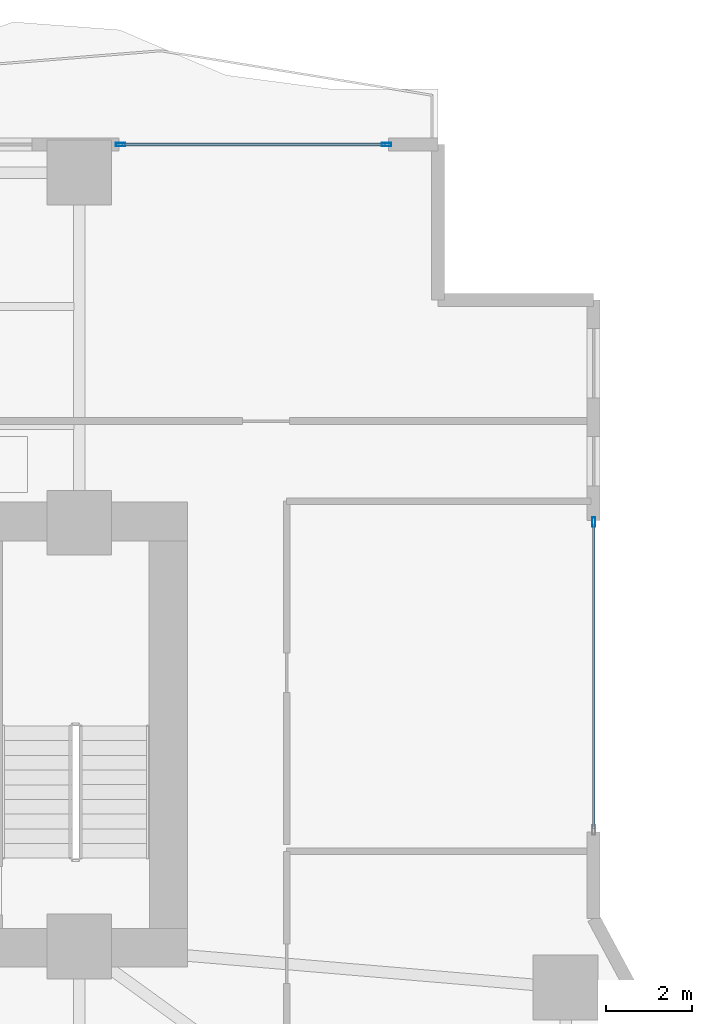
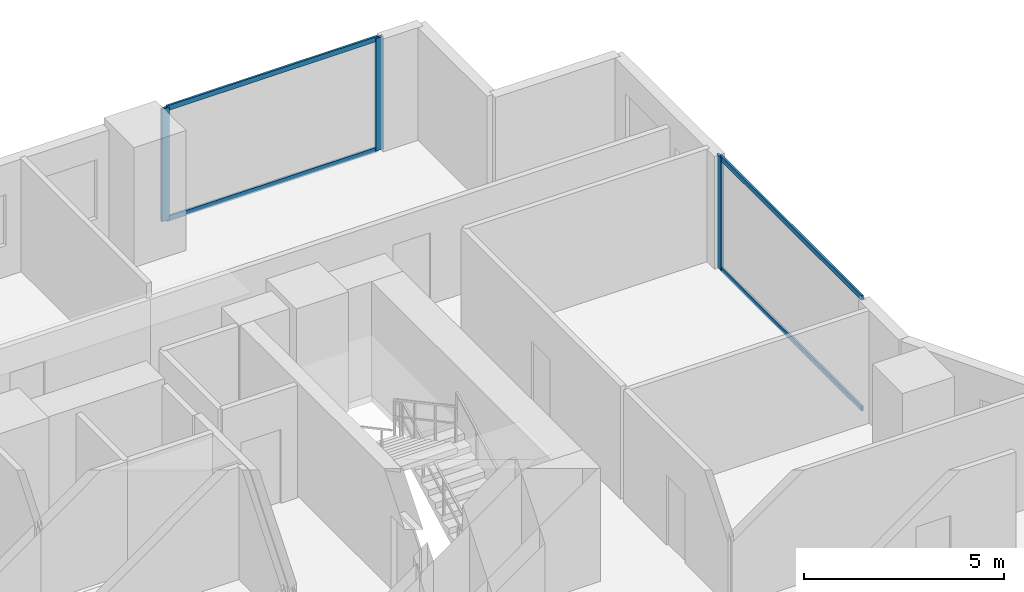
# One storey, part 16 of 29: 7 members, 2 elements without a shape of their own.
"""IFC4 building model written with IfcOpenShell, lengths in metres."""

from ifc_helpers import new_model, si_unit, direction, frame, origin, origin_2d, place, context, subcontext, project, spatial, hollow_rectangle, extrude, material, layer, layer_set, material_profile, profile_set, type_object, element, aggregate, save


model = new_model("IFC4")

# Units and contexts
model_context = context("Model", 3, precision=1e-05, world=origin(), true_north=direction((0.0, 1.0)))
body_context = subcontext(model_context, "Body", "Model", "MODEL_VIEW")
ifc_project = project(units=[si_unit("LENGTHUNIT", "METRE"), si_unit("AREAUNIT", "SQUARE_METRE"), si_unit("VOLUMEUNIT", "CUBIC_METRE"), si_unit("PLANEANGLEUNIT", "RADIAN"), si_unit("MASSUNIT", "GRAM", prefix="KILO")], contexts=[model_context])

# Site, building, storey
site_placement = place(None, origin())
site = spatial("IfcSite", under=ifc_project, at=site_placement, CompositionType="ELEMENT")
building_placement = place(site_placement, origin())
building = spatial("IfcBuilding", under=site, at=building_placement, Name="Zuhayl Quay Hotel", CompositionType="ELEMENT")
storey_placement = place(building_placement, frame((0.0, 0.0, 42.199951171875)))
storey = spatial("IfcBuildingStorey", under=building, at=storey_placement, Name="L09", CompositionType="ELEMENT", Elevation=42.199951171875)

# Curtain wall, members
ifc_material_1 = material(Name="Anodised Aluminium 6063-T6", Category="aluminium")
ifc_layer = layer(ifc_material_1, 0.18994140625, Name="Anodised Aluminium 6063-T6", Category="aluminium")
ifc_layer_set = layer_set([ifc_layer], Name="Anodised Aluminium 6063-T6")
curtain_wall_type = type_object("IfcCurtainWallType", Name="CW_SYS_Z1", PredefinedType="USERDEFINED", material=ifc_layer_set)
curtain_wall_1_placement = place(storey_placement, origin())
curtain_wall_1 = element("IfcCurtainWall", 1, at=curtain_wall_1_placement, inside=storey, type_object=curtain_wall_type, Name="L09 Curtain Wall ENV_L09_N_CW5", ObjectType="UNITISED CURTAIN WALL", PredefinedType="USERDEFINED")
ifc_material_2 = material(Name="Black-anodised aluminium 6063-T6", Category="aluminium")
ifc_material_profile_1 = material_profile(ifc_material_2, hollow_rectangle(XDim=0.074951171875, YDim=0.219970703125, WallThickness=0.00390625, at=origin_2d()), Name="ALU220X75")
ifc_profile_set_1 = profile_set([ifc_material_profile_1], Name="Black-anodised aluminium 6063-T6")
member_type_1 = type_object("IfcMemberType", Name="MB_CW_MUL_220", PredefinedType="MULLION", material=ifc_profile_set_1)
member_1_placement = place(storey_placement, frame((14.757568359375, 23.10009765625, 0.0), z_axis=(0.0, 0.0, 1.0), x_axis=(0.0, 1.0, 0.0)))
member_1 = element("IfcMember", 2, at=member_1_placement, type_object=member_type_1, Name="CW-Z1 mullion 1", PredefinedType="MULLION", context=body_context, shape_type="SweptSolid", body=[
    extrude(hollow_rectangle(XDim=0.074951171875, YDim=0.219970703125, WallThickness=0.00390625, at=origin_2d()), origin(), (0.0, 0.0, 1.0), 3.429931640625),
])
member_2_placement = place(storey_placement, frame((20.91259765625, 23.10009765625, 0.0), z_axis=(0.0, 0.0, 1.0), x_axis=(0.0, 1.0, 0.0)))
member_2 = element("IfcMember", 3, at=member_2_placement, type_object=member_type_1, Name="CW-Z1 mullion 2", PredefinedType="MULLION", context=body_context, shape_type="SweptSolid", body=[
    extrude(hollow_rectangle(XDim=0.074951171875, YDim=0.219970703125, WallThickness=0.00390625, at=origin_2d()), origin(), (0.0, 0.0, 1.0), 3.429931640625),
])

# Curtain wall, member
curtain_wall_2_placement = place(storey_placement, origin())
curtain_wall_2 = element("IfcCurtainWall", 4, at=curtain_wall_2_placement, inside=storey, type_object=curtain_wall_type, Name="L09 Curtain Wall ENV_L09_E11_CW1", ObjectType="UNITISED CURTAIN WALL", PredefinedType="USERDEFINED")
member_3_placement = place(storey_placement, frame((25.699951171875, 14.362548828125, 0.0), z_axis=(0.0, 0.0, 1.0), x_axis=(1.0, 0.0, 0.0)))
member_3 = element("IfcMember", 5, at=member_3_placement, type_object=member_type_1, Name="CW-Z1 mullion 1", PredefinedType="MULLION", context=body_context, shape_type="SweptSolid", body=[
    extrude(hollow_rectangle(XDim=0.074951171875, YDim=0.219970703125, WallThickness=0.00390625, at=origin_2d()), origin(), (0.0, 0.0, 1.0), 3.429931640625),
])

# Member
ifc_material_profile_2 = material_profile(ifc_material_2, hollow_rectangle(XDim=0.06005859375, YDim=0.14990234375, WallThickness=0.00341796875, at=origin_2d()), Name="ALU150X60")
ifc_profile_set_2 = profile_set([ifc_material_profile_2], Name="Black-anodised aluminium 6063-T6")
member_type_2 = type_object("IfcMemberType", Name="MB_CW_TRN_150", PredefinedType="USERDEFINED", material=ifc_profile_set_2)
member_4_placement = place(storey_placement, frame((14.794921875, 23.10009765625, 0.030029296875), z_axis=(1.0, 0.0, 0.0), x_axis=(0.0, 1.0, 0.0)))
member_4 = element("IfcMember", 6, at=member_4_placement, type_object=member_type_2, Name="CW-Z1 transom 1.1", ObjectType="TRANSOM", PredefinedType="USERDEFINED", context=body_context, shape_type="SweptSolid", body=[
    extrude(hollow_rectangle(XDim=0.06005859375, YDim=0.14990234375, WallThickness=0.00341796875, at=origin_2d()), origin(), (0.0, 0.0, 1.0), 6.080078125),
])

member_5_placement = place(storey_placement, frame((14.794921875, 23.10009765625, 3.400146484375), z_axis=(1.0, 0.0, 0.0), x_axis=(0.0, 1.0, 0.0)))
member_5 = element("IfcMember", 7, at=member_5_placement, type_object=member_type_2, Name="CW-Z1 transom 1.2", ObjectType="TRANSOM", PredefinedType="USERDEFINED", context=body_context, shape_type="SweptSolid", body=[
    extrude(hollow_rectangle(XDim=0.06005859375, YDim=0.14990234375, WallThickness=0.00341796875, at=origin_2d()), origin(), (0.0, 0.0, 1.0), 6.080078125),
])

aggregate(curtain_wall_1, [member_1, member_2, member_4, member_5])

member_6_placement = place(storey_placement, frame((25.699951171875, 14.324951171875, 0.030029296875), z_axis=(0.0, -1.0, 0.0), x_axis=(1.0, 0.0, 0.0)))
member_6 = element("IfcMember", 8, at=member_6_placement, type_object=member_type_2, Name="CW-Z1 transom 1.1", ObjectType="TRANSOM", PredefinedType="USERDEFINED", context=body_context, shape_type="SweptSolid", body=[
    extrude(hollow_rectangle(XDim=0.06005859375, YDim=0.14990234375, WallThickness=0.00341796875, at=origin_2d()), origin(), (0.0, 0.0, 1.0), 7.050048828125),
])

member_7_placement = place(storey_placement, frame((25.699951171875, 14.324951171875, 3.400146484375), z_axis=(0.0, -1.0, 0.0), x_axis=(1.0, 0.0, 0.0)))
member_7 = element("IfcMember", 9, at=member_7_placement, type_object=member_type_2, Name="CW-Z1 transom 1.2", ObjectType="TRANSOM", PredefinedType="USERDEFINED", context=body_context, shape_type="SweptSolid", body=[
    extrude(hollow_rectangle(XDim=0.06005859375, YDim=0.14990234375, WallThickness=0.00341796875, at=origin_2d()), origin(), (0.0, 0.0, 1.0), 7.050048828125),
])

aggregate(curtain_wall_2, [member_3, member_6, member_7])

save(model, "model.ifc")
